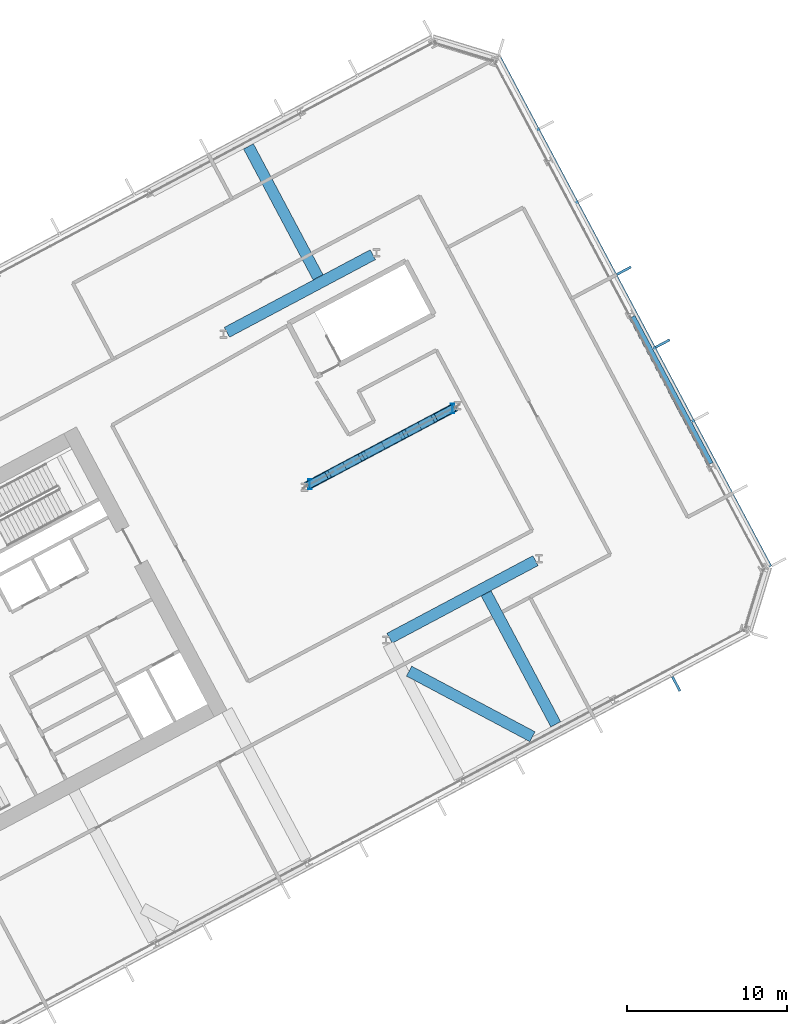
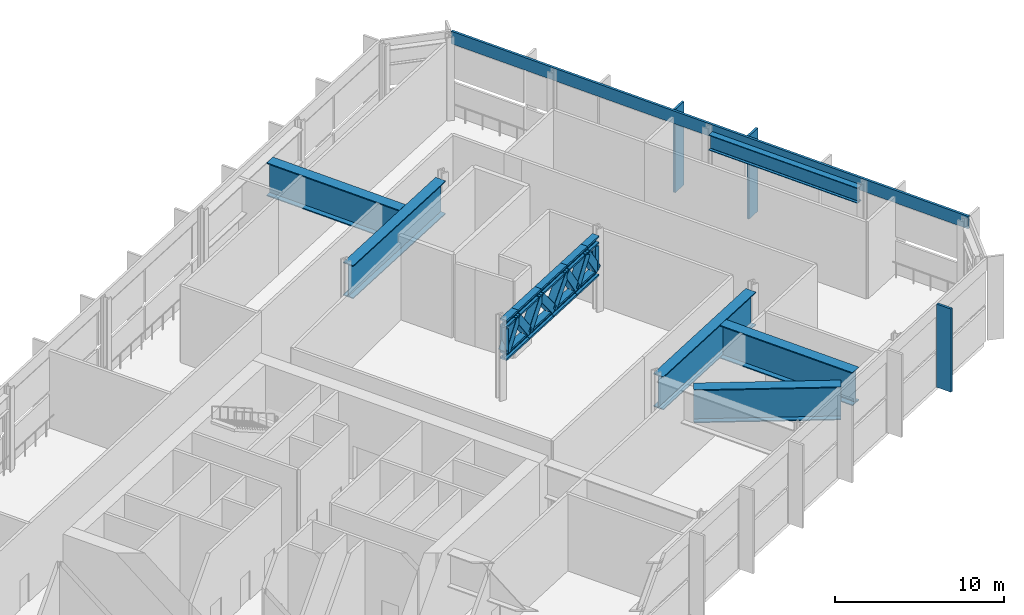
# One storey, part 9 of 33: 23 members, 6 beams, 2 elements without a shape of their own.
"""IFC4 building model written with IfcOpenShell, lengths in metres."""

from ifc_helpers import new_model, si_unit, direction, frame, origin, origin_2d, place, context, subcontext, project, spatial, rectangle, hollow_rectangle, i_section, extrude, material, layer, layer_set, material_profile, profile_set, type_object, element, aggregate, save


model = new_model("IFC4")

# Units and contexts
model_context = context("Model", 3, precision=1e-05, world=origin(), true_north=direction((0.0, 1.0)))
body_context = subcontext(model_context, "Body", "Model", "MODEL_VIEW")
ifc_project = project(units=[si_unit("LENGTHUNIT", "METRE"), si_unit("AREAUNIT", "SQUARE_METRE"), si_unit("VOLUMEUNIT", "CUBIC_METRE"), si_unit("PLANEANGLEUNIT", "RADIAN"), si_unit("MASSUNIT", "GRAM", prefix="KILO")], contexts=[model_context])

# Site, building, storey
site_placement = place(None, origin())
site = spatial("IfcSite", under=ifc_project, at=site_placement, CompositionType="ELEMENT")
building_placement = place(site_placement, origin())
building = spatial("IfcBuilding", under=site, at=building_placement, Name="Cormorant Relay Tower", CompositionType="ELEMENT")
storey_placement = place(building_placement, frame((0.0, 0.0, 112.199951171875)))
storey = spatial("IfcBuildingStorey", under=building, at=storey_placement, Name="L22", CompositionType="ELEMENT", Elevation=112.199951171875)

# Curtain wall, member
ifc_material_1 = material(Name="Aluminium 6063-T6 anodised bronze", Category="aluminium")
ifc_layer = layer(ifc_material_1, 0.199951171875)
ifc_layer_set = layer_set([ifc_layer], Name="CW4 band louvre wall")
curtain_wall_type = type_object("IfcCurtainWallType", Name="CW4 band louvre wall", PredefinedType="NOTDEFINED", material=ifc_layer_set)
curtain_wall_1_placement = place(storey_placement, origin())
curtain_wall_1 = element("IfcCurtainWall", 1, at=curtain_wall_1_placement, inside=storey, type_object=curtain_wall_type, Name="CW4 curtain wall 2", PredefinedType="NOTDEFINED")
ifc_material_2 = material(Name="Aluminium 6063-T6 anodised bronze", Category="aluminium")
ifc_material_profile_1 = material_profile(ifc_material_2, rectangle(XDim=0.14990234375, YDim=1.0, at=origin_2d()), Name="AL 150x1000")
ifc_profile_set_1 = profile_set([ifc_material_profile_1], Name="Aluminium 6063-T6 anodised bronze")
member_type_1 = type_object("IfcMemberType", Name="CW4 bronze fin mullion 150 x 1000", PredefinedType="MULLION", material=ifc_profile_set_1)
member_1_placement = place(storey_placement, frame((66.244140625, 10.64599609375, 0.0), z_axis=(0.0, 0.0, 1.0), x_axis=(0.882947592859, 0.469471562786, 0.0)))
member_1 = element("IfcMember", 2, at=member_1_placement, type_object=member_type_1, Name="CW4 fin 2.14", PredefinedType="MULLION", context=body_context, shape_type="SweptSolid", body=[
    extrude(rectangle(XDim=0.14990234375, YDim=1.0, at=origin_2d()), origin(), (0.0, 0.0, 1.0), 6.0),
])
aggregate(curtain_wall_1, [member_1])

# Curtain wall, members
curtain_wall_2_placement = place(storey_placement, origin())
curtain_wall_2 = element("IfcCurtainWall", 3, at=curtain_wall_2_placement, inside=storey, type_object=curtain_wall_type, Name="CW4 curtain wall 4", PredefinedType="NOTDEFINED")
member_2_placement = place(storey_placement, frame((65.3974609375, 31.860107421875, 0.0), z_axis=(0.0, 0.0, 1.0), x_axis=(-0.469471562786, 0.882947592859, 0.0)))
member_2 = element("IfcMember", 4, at=member_2_placement, type_object=member_type_1, Name="CW4 fin 4.4", PredefinedType="MULLION", context=body_context, shape_type="SweptSolid", body=[
    extrude(rectangle(XDim=0.14990234375, YDim=1.0, at=origin_2d()), origin(), (0.0, 0.0, 1.0), 6.0),
])
member_3_placement = place(storey_placement, frame((62.983154296875, 36.40087890625, 0.0), z_axis=(0.0, 0.0, 1.0), x_axis=(-0.469471562786, 0.882947592859, 0.0)))
member_3 = element("IfcMember", 5, at=member_3_placement, type_object=member_type_1, Name="CW4 fin 4.5", PredefinedType="MULLION", context=body_context, shape_type="SweptSolid", body=[
    extrude(rectangle(XDim=0.14990234375, YDim=1.0, at=origin_2d()), origin(), (0.0, 0.0, 1.0), 6.0),
])
ifc_material_3 = material(Name="Aluminium 6063-T6 anodised bronze", Category="aluminium")
ifc_material_profile_2 = material_profile(ifc_material_3, rectangle(XDim=0.159912109375, YDim=0.89990234375, at=origin_2d()), Name="AL 160x900")
ifc_profile_set_2 = profile_set([ifc_material_profile_2], Name="Aluminium 6063-T6 anodised bronze")
member_type_2 = type_object("IfcMemberType", Name="CW4 bronze transom 160 x 900", PredefinedType="USERDEFINED", material=ifc_profile_set_2)
member_4_placement = place(storey_placement, frame((72.128662109375, 17.965087890625, 5.550048828125), z_axis=(-0.469469230355, 0.88294883303, 0.0), x_axis=(-0.88294883303, -0.469469230355, 0.0)))
member_4 = element("IfcMember", 6, at=member_4_placement, type_object=member_type_2, Name="CW4 transom 4", ObjectType="TRANSOM", PredefinedType="USERDEFINED", context=body_context, shape_type="SweptSolid", body=[
    extrude(rectangle(XDim=0.159912109375, YDim=0.89990234375, at=origin_2d()), origin(), (0.0, 0.0, 1.0), 36.0),
])
aggregate(curtain_wall_2, [member_2, member_3, member_4])

# Beams
ifc_material_4 = material(Name="Steel ASTM A992 (Fy 345 MPa)", Category="steel")
ifc_material_profile_3 = material_profile(ifc_material_4, i_section(OverallWidth=0.40380859375, OverallDepth=1.11767578125, WebThickness=0.026123046875, FlangeThickness=0.044921875, FilletRadius=0.02001953125, at=origin_2d()), Name="W1100x499")
ifc_profile_set_3 = profile_set([ifc_material_profile_3], Name="Steel ASTM A992 (Fy 345 MPa)")
beam_type_1 = type_object("IfcBeamType", Name="Spandrel W1100x499", PredefinedType="SPANDREL", material=ifc_profile_set_3)
beam_1_placement = place(storey_placement, frame((68.364990234375, 24.358154296875, 4.9912109375), z_axis=(-0.469491223799, 0.882937138632, 0.0), x_axis=(-0.882937138632, -0.469491223799, 0.0)))
element("IfcBeam", 7, at=beam_1_placement, inside=storey, type_object=beam_type_1, Name="Spandrel beam L22-003", PredefinedType="SPANDREL", context=body_context, shape_type="SweptSolid", body=[
    extrude(i_section(OverallWidth=0.40380859375, OverallDepth=1.11767578125, WebThickness=0.026123046875, FlangeThickness=0.044921875, FilletRadius=0.02001953125, at=origin_2d()), origin(), (0.0, 0.0, 1.0), 10.376220703125),
])
ifc_material_5 = material(Name="Steel ASTM A572 Grade 50 (Fy 345 MPa)", Category="steel")
ifc_material_profile_4 = material_profile(ifc_material_5, i_section(OverallWidth=0.699951171875, OverallDepth=2.39990234375, WebThickness=0.030029296875, FlangeThickness=0.070068359375, at=origin_2d()), Name="PG2400x700")
ifc_profile_set_4 = profile_set([ifc_material_profile_4], Name="Steel ASTM A572 Grade 50 (Fy 345 MPa)")
beam_type_2 = type_object("IfcBeamType", Name="Transfer girder PG2400x700", PredefinedType="BEAM", material=ifc_profile_set_4)
beam_2_placement = place(storey_placement, frame((38.236328125, 32.562255859375, 4.35009765625), z_axis=(0.882949708193, 0.4694675844, 0.0), x_axis=(-0.4694675844, 0.882949708193, 0.0)))
element("IfcBeam", 8, at=beam_2_placement, inside=storey, type_object=beam_type_2, Name="Transfer girder L22-04", PredefinedType="BEAM", context=body_context, shape_type="SweptSolid", body=[
    extrude(i_section(OverallWidth=0.699951171875, OverallDepth=2.39990234375, WebThickness=0.030029296875, FlangeThickness=0.070068359375, at=origin_2d()), origin(), (0.0, 0.0, 1.0), 10.304443359375),
])
beam_3_placement = place(storey_placement, frame((48.37646484375, 13.490234375, 4.35009765625), z_axis=(0.882926091334, 0.469511999038, 0.0), x_axis=(-0.469511999038, 0.882926091334, 0.0)))
element("IfcBeam", 9, at=beam_3_placement, inside=storey, type_object=beam_type_2, Name="Transfer girder L22-08", PredefinedType="BEAM", context=body_context, shape_type="SweptSolid", body=[
    extrude(i_section(OverallWidth=0.699951171875, OverallDepth=2.39990234375, WebThickness=0.030029296875, FlangeThickness=0.070068359375, at=origin_2d()), origin(), (0.0, 0.0, 1.0), 10.3056640625),
])
beam_4_placement = place(storey_placement, frame((57.28173828125, 7.352783203125, 4.35009765625), z_axis=(-0.882942130206, 0.469481836398, 0.0), x_axis=(-0.469481836398, -0.882942130206, 0.0)))
element("IfcBeam", 10, at=beam_4_placement, inside=storey, type_object=beam_type_2, Name="Transfer girder L22-11", PredefinedType="BEAM", context=body_context, shape_type="SweptSolid", body=[
    extrude(i_section(OverallWidth=0.699951171875, OverallDepth=2.39990234375, WebThickness=0.030029296875, FlangeThickness=0.070068359375, at=origin_2d()), origin(), (0.0, 0.0, 1.0), 8.707275390625),
])
for number, where, z_axis, x_axis, name in (
    (11, (58.736572265625, 8.126708984375, 4.35009765625), (-0.469479753617, 0.882943237668, 0.0), (-0.882943237668, -0.469479753617, 0.0), "Transfer girder L22-12"),
    (12, (43.920166015625, 35.9921875, 4.35009765625), (-0.469479753617, 0.882943237668, 0.0), (-0.882943237668, -0.469479753617, 0.0), "Transfer girder L22-13"),
):
    element("IfcBeam", number, at=place(storey_placement, frame(where, z_axis=z_axis, x_axis=x_axis)), inside=storey, type_object=beam_type_2, Name=name, PredefinedType="BEAM", context=body_context, shape_type="SweptSolid", body=[
        extrude(i_section(OverallWidth=0.699951171875, OverallDepth=2.39990234375, WebThickness=0.030029296875, FlangeThickness=0.070068359375, at=origin_2d()), origin(), (0.0, 0.0, 1.0), 9.23974609375),
    ])

# Members
ifc_material_6 = material(Name="Steel ASTM A992 (Fy 345 MPa)", Category="steel")
ifc_material_profile_5 = material_profile(ifc_material_6, i_section(OverallWidth=0.45458984375, OverallDepth=0.569091796875, WebThickness=0.077880859375, FlangeThickness=0.124755859375, FilletRadius=0.015380859375, at=origin_2d()), Name="W360x1086")
ifc_profile_set_5 = profile_set([ifc_material_profile_5], Name="Steel ASTM A992 (Fy 345 MPa)")
member_type_3 = type_object("IfcMemberType", Name="Truss bottom chord W360x1086", PredefinedType="CHORD", material=ifc_profile_set_5)
member_5_placement = place(storey_placement, frame((43.306396484375, 23.026123046875, 2.9345703125), z_axis=(0.882926715263, 0.469510825727, 0.0), x_axis=(-0.469510825727, 0.882926715263, 0.0)))
element("IfcMember", 13, at=member_5_placement, inside=storey, type_object=member_type_3, Name="Truss bottom chord L22-06-06", PredefinedType="CHORD", context=body_context, shape_type="SweptSolid", body=[
    extrude(i_section(OverallWidth=0.45458984375, OverallDepth=0.569091796875, WebThickness=0.077880859375, FlangeThickness=0.124755859375, FilletRadius=0.015380859375, at=origin_2d()), origin(), (0.0, 0.0, 1.0), 2.57666015625),
])
member_6_placement = place(storey_placement, frame((45.581298828125, 24.23583984375, 2.9345703125), z_axis=(0.882915901571, 0.469531160577, 0.0), x_axis=(-0.469531160577, 0.882915901571, 0.0)))
element("IfcMember", 14, at=member_6_placement, inside=storey, type_object=member_type_3, Name="Truss bottom chord L22-06-07", PredefinedType="CHORD", context=body_context, shape_type="SweptSolid", body=[
    extrude(i_section(OverallWidth=0.45458984375, OverallDepth=0.569091796875, WebThickness=0.077880859375, FlangeThickness=0.124755859375, FilletRadius=0.015380859375, at=origin_2d()), origin(), (0.0, 0.0, 1.0), 2.721923828125),
])
member_7_placement = place(storey_placement, frame((47.984619140625, 25.513916015625, 2.9345703125), z_axis=(0.882926715263, 0.469510825727, 0.0), x_axis=(-0.469510825727, 0.882926715263, 0.0)))
element("IfcMember", 15, at=member_7_placement, inside=storey, type_object=member_type_3, Name="Truss bottom chord L22-06-08", PredefinedType="CHORD", context=body_context, shape_type="SweptSolid", body=[
    extrude(i_section(OverallWidth=0.45458984375, OverallDepth=0.569091796875, WebThickness=0.077880859375, FlangeThickness=0.124755859375, FilletRadius=0.015380859375, at=origin_2d()), origin(), (0.0, 0.0, 1.0), 2.57666015625),
])
member_8_placement = place(storey_placement, frame((50.259521484375, 26.7236328125, 2.9345703125), z_axis=(0.882936179938, 0.469493026738, 0.0), x_axis=(-0.469493026738, 0.882936179938, 0.0)))
element("IfcMember", 16, at=member_8_placement, inside=storey, type_object=member_type_3, Name="Truss bottom chord L22-06-09", PredefinedType="CHORD", context=body_context, shape_type="SweptSolid", body=[
    extrude(i_section(OverallWidth=0.45458984375, OverallDepth=0.569091796875, WebThickness=0.077880859375, FlangeThickness=0.124755859375, FilletRadius=0.015380859375, at=origin_2d()), origin(), (0.0, 0.0, 1.0), 2.430419921875),
])
ifc_material_7 = material(Name="Steel ASTM A1085 Grade A (Fy 345 MPa)", Category="steel")
ifc_material_profile_6 = material_profile(ifc_material_7, hollow_rectangle(XDim=0.558837890625, YDim=0.558837890625, WallThickness=0.023681640625, InnerFilletRadius=0.01171875, OuterFilletRadius=0.035400390625, at=origin_2d()), Name="HSS559x559x24")
ifc_profile_set_6 = profile_set([ifc_material_profile_6], Name="Steel ASTM A1085 Grade A (Fy 345 MPa)")
member_type_4 = type_object("IfcMemberType", Name="Truss diagonal HSS559x559x24", PredefinedType="BRACE", material=ifc_profile_set_6)
member_9_placement = place(storey_placement, frame((43.408203125, 23.080322265625, 3.218994140625), z_axis=(0.489272415856, 0.260207112251, 0.832409011134), x_axis=(-0.46955084, 0.882905435851, 0.0)))
element("IfcMember", 17, at=member_9_placement, inside=storey, type_object=member_type_4, Name="Truss diagonal L22-06-12", PredefinedType="BRACE", context=body_context, shape_type="SweptSolid", body=[
    extrude(hollow_rectangle(XDim=0.558837890625, YDim=0.558837890625, WallThickness=0.023681640625, InnerFilletRadius=0.01171875, OuterFilletRadius=0.035400390625, at=origin_2d()), origin(), (0.0, 0.0, 1.0), 2.11669921875),
])
for number, where, z_axis, x_axis, name in (
    (18, (44.44384765625, 23.631103515625, 4.98095703125), (0.521130184384, 0.277063633123, -0.807254033204), (-0.469436953661, 0.882965993987, 0.0), "Truss diagonal L22-06-13"),
    (19, (45.581298828125, 24.23583984375, 3.218994140625), (0.521032547705, 0.277183051355, 0.807276061997), (-0.469663264723, 0.882845636433, 0.0), "Truss diagonal L22-06-14"),
):
    element("IfcMember", number, at=place(storey_placement, frame(where, z_axis=z_axis, x_axis=x_axis)), inside=storey, type_object=member_type_4, Name=name, PredefinedType="BRACE", context=body_context, shape_type="SweptSolid", body=[
        extrude(hollow_rectangle(XDim=0.558837890625, YDim=0.558837890625, WallThickness=0.023681640625, InnerFilletRadius=0.01171875, OuterFilletRadius=0.035400390625, at=origin_2d()), origin(), (0.0, 0.0, 1.0), 2.1826171875),
    ])
for number, where, z_axis, x_axis, name in (
    (20, (46.718505859375, 24.8408203125, 4.98095703125), (0.557342139982, 0.296296236007, -0.775614775213), (-0.469412479406, 0.882979005514, 0.0), "Truss diagonal L22-06-15"),
    (21, (47.984619140625, 25.513916015625, 3.218994140625), (0.557324390104, 0.296394266854, 0.775590073925), (-0.469545208629, 0.882908430729, 0.0), "Truss diagonal L22-06-16"),
):
    element("IfcMember", number, at=place(storey_placement, frame(where, z_axis=z_axis, x_axis=x_axis)), inside=storey, type_object=member_type_4, Name=name, PredefinedType="BRACE", context=body_context, shape_type="SweptSolid", body=[
        extrude(hollow_rectangle(XDim=0.558837890625, YDim=0.558837890625, WallThickness=0.023681640625, InnerFilletRadius=0.01171875, OuterFilletRadius=0.035400390625, at=origin_2d()), origin(), (0.0, 0.0, 1.0), 2.271728515625),
    ])
for number, where, z_axis, x_axis, name in (
    (22, (49.250732421875, 26.187255859375, 4.98095703125), (0.48038288795, 0.255421395166, -0.83904242554), (-0.469467669333, 0.882949663033, 0.0), "Truss diagonal L22-06-17"),
    (23, (50.259521484375, 26.7236328125, 3.218994140625), (0.480293450152, 0.255435659642, 0.839089283405), (-0.46955625993, 0.882902553378, 0.0), "Truss diagonal L22-06-18"),
):
    element("IfcMember", number, at=place(storey_placement, frame(where, z_axis=z_axis, x_axis=x_axis)), inside=storey, type_object=member_type_4, Name=name, PredefinedType="BRACE", context=body_context, shape_type="SweptSolid", body=[
        extrude(hollow_rectangle(XDim=0.558837890625, YDim=0.558837890625, WallThickness=0.023681640625, InnerFilletRadius=0.01171875, OuterFilletRadius=0.035400390625, at=origin_2d()), origin(), (0.0, 0.0, 1.0), 2.099853515625),
    ])
member_10_placement = place(storey_placement, frame((51.26806640625, 27.260009765625, 4.98095703125), z_axis=(0.489272415856, 0.260207112251, -0.832409011134), x_axis=(-0.46955084, 0.882905435851, 0.0)))
element("IfcMember", 24, at=member_10_placement, inside=storey, type_object=member_type_4, Name="Truss diagonal L22-06-19", PredefinedType="BRACE", context=body_context, shape_type="SweptSolid", body=[
    extrude(hollow_rectangle(XDim=0.558837890625, YDim=0.558837890625, WallThickness=0.023681640625, InnerFilletRadius=0.01171875, OuterFilletRadius=0.035400390625, at=origin_2d()), origin(), (0.0, 0.0, 1.0), 2.11669921875),
])
ifc_material_8 = material(Name="Steel ASTM A992 (Fy 345 MPa)", Category="steel")
ifc_material_profile_7 = material_profile(ifc_material_8, i_section(OverallWidth=0.23046875, OverallDepth=0.6171875, WebThickness=0.01318359375, FlangeThickness=0.022216796875, FilletRadius=0.012939453125, at=origin_2d()), Name="W610x140")
ifc_profile_set_7 = profile_set([ifc_material_profile_7], Name="Steel ASTM A992 (Fy 345 MPa)")
member_type_5 = type_object("IfcMemberType", Name="Truss end post W610x140", PredefinedType="POST", material=ifc_profile_set_7)
for number, where, z_axis, x_axis, name in (
    (25, (43.408203125, 23.080322265625, 3.218994140625), (0.0, 0.0, 1.0), (1.0, 0.0, 0.0), "Truss end post L22-06-10"),
    (26, (52.3037109375, 27.810791015625, 3.218994140625), (0.0, 0.0, 1.0), (1.0, 0.0, 0.0), "Truss end post L22-06-11"),
):
    element("IfcMember", number, at=place(storey_placement, frame(where, z_axis=z_axis, x_axis=x_axis)), inside=storey, type_object=member_type_5, Name=name, PredefinedType="POST", context=body_context, shape_type="SweptSolid", body=[
        extrude(i_section(OverallWidth=0.23046875, OverallDepth=0.6171875, WebThickness=0.01318359375, FlangeThickness=0.022216796875, FilletRadius=0.012939453125, at=origin_2d()), origin(), (0.0, 0.0, 1.0), 1.761962890625),
    ])
ifc_material_9 = material(Name="Steel ASTM A992 (Fy 345 MPa)", Category="steel")
ifc_material_profile_8 = material_profile(ifc_material_9, i_section(OverallWidth=0.45458984375, OverallDepth=0.569091796875, WebThickness=0.077880859375, FlangeThickness=0.124755859375, FilletRadius=0.015380859375, at=origin_2d()), Name="W360x1086")
ifc_profile_set_8 = profile_set([ifc_material_profile_8], Name="Steel ASTM A992 (Fy 345 MPa)")
member_type_6 = type_object("IfcMemberType", Name="Truss top chord W360x1086", PredefinedType="CHORD", material=ifc_profile_set_8)
member_11_placement = place(storey_placement, frame((43.306396484375, 23.026123046875, 5.265625), z_axis=(0.882887433854, 0.469584687935, 0.0), x_axis=(-0.469584687935, 0.882887433854, 0.0)))
element("IfcMember", 27, at=member_11_placement, inside=storey, type_object=member_type_6, Name="Truss top chord L22-06-01", PredefinedType="CHORD", context=body_context, shape_type="SweptSolid", body=[
    extrude(i_section(OverallWidth=0.45458984375, OverallDepth=0.569091796875, WebThickness=0.077880859375, FlangeThickness=0.124755859375, FilletRadius=0.015380859375, at=origin_2d()), origin(), (0.0, 0.0, 1.0), 1.288330078125),
])
member_12_placement = place(storey_placement, frame((44.44384765625, 23.631103515625, 5.265625), z_axis=(0.882905824819, 0.469550108616, 0.0), x_axis=(-0.469550108616, 0.882905824819, 0.0)))
element("IfcMember", 28, at=member_12_placement, inside=storey, type_object=member_type_6, Name="Truss top chord L22-06-02", PredefinedType="CHORD", context=body_context, shape_type="SweptSolid", body=[
    extrude(i_section(OverallWidth=0.45458984375, OverallDepth=0.569091796875, WebThickness=0.077880859375, FlangeThickness=0.124755859375, FilletRadius=0.015380859375, at=origin_2d()), origin(), (0.0, 0.0, 1.0), 2.576416015625),
])
member_13_placement = place(storey_placement, frame((46.718505859375, 24.8408203125, 5.265625), z_axis=(0.882943719205, 0.469478847996, 0.0), x_axis=(-0.469478847996, 0.882943719205, 0.0)))
element("IfcMember", 29, at=member_13_placement, inside=storey, type_object=member_type_6, Name="Truss top chord L22-06-03", PredefinedType="CHORD", context=body_context, shape_type="SweptSolid", body=[
    extrude(i_section(OverallWidth=0.45458984375, OverallDepth=0.569091796875, WebThickness=0.077880859375, FlangeThickness=0.124755859375, FilletRadius=0.015380859375, at=origin_2d()), origin(), (0.0, 0.0, 1.0), 2.867919921875),
])
member_14_placement = place(storey_placement, frame((49.250732421875, 26.187255859375, 5.265625), z_axis=(0.882926111539, 0.469511961043, 0.0), x_axis=(-0.469511961043, 0.882926111539, 0.0)))
element("IfcMember", 30, at=member_14_placement, inside=storey, type_object=member_type_6, Name="Truss top chord L22-06-04", PredefinedType="CHORD", context=body_context, shape_type="SweptSolid", body=[
    extrude(i_section(OverallWidth=0.45458984375, OverallDepth=0.569091796875, WebThickness=0.077880859375, FlangeThickness=0.124755859375, FilletRadius=0.015380859375, at=origin_2d()), origin(), (0.0, 0.0, 1.0), 2.284912109375),
])
member_15_placement = place(storey_placement, frame((51.26806640625, 27.260009765625, 5.265625), z_axis=(0.882965993987, 0.469436953661, 0.0), x_axis=(-0.469436953661, 0.882965993987, 0.0)))
element("IfcMember", 31, at=member_15_placement, inside=storey, type_object=member_type_6, Name="Truss top chord L22-06-05", PredefinedType="CHORD", context=body_context, shape_type="SweptSolid", body=[
    extrude(i_section(OverallWidth=0.45458984375, OverallDepth=0.569091796875, WebThickness=0.077880859375, FlangeThickness=0.124755859375, FilletRadius=0.015380859375, at=origin_2d()), origin(), (0.0, 0.0, 1.0), 1.288330078125),
])

save(model, "model.ifc")
